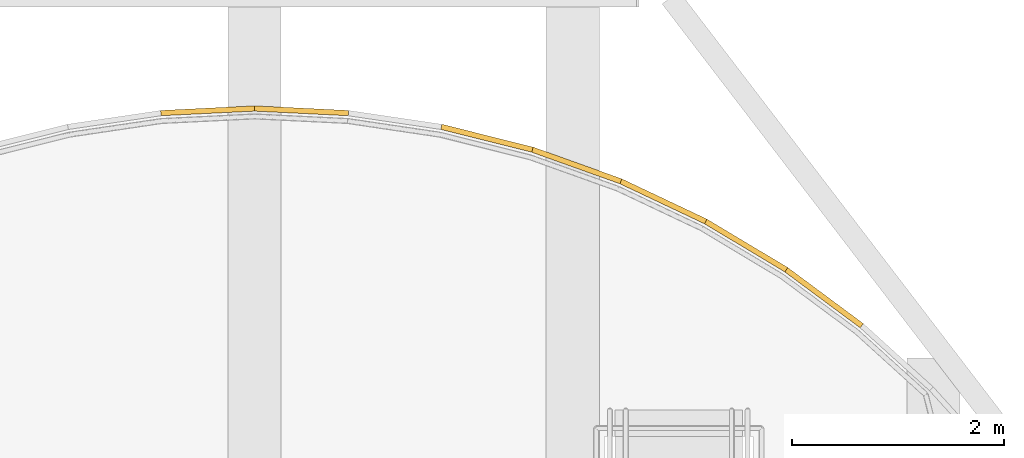
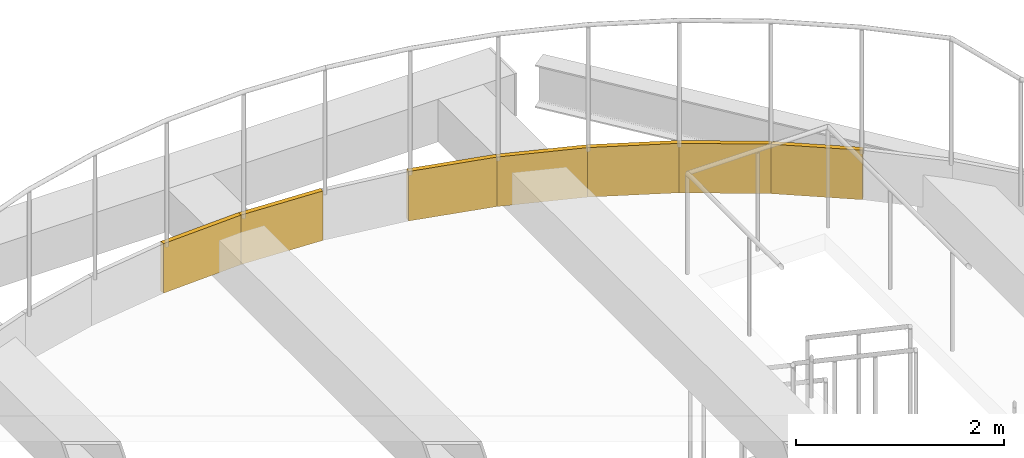
# One storey, part 4 of 4: 7 shading devices.
"""IFC4 building model written with IfcOpenShell, lengths in metres."""

from ifc_helpers import new_model, si_unit, direction, frame, origin, place, context, subcontext, project, spatial, polyline, outline, extrude, material, layer, layer_set, type_object, element, save


model = new_model("IFC4")

# Units and contexts
model_context = context("Model", 3, precision=1e-05, world=origin(), true_north=direction((0.0, 1.0)))
body_context = subcontext(model_context, "Body", "Model", "MODEL_VIEW")
ifc_project = project(units=[si_unit("LENGTHUNIT", "METRE"), si_unit("AREAUNIT", "SQUARE_METRE"), si_unit("VOLUMEUNIT", "CUBIC_METRE"), si_unit("PLANEANGLEUNIT", "RADIAN"), si_unit("MASSUNIT", "GRAM", prefix="KILO")], contexts=[model_context])

# Site, building, storey
site_placement = place(None, origin())
site = spatial("IfcSite", under=ifc_project, at=site_placement, CompositionType="ELEMENT")
building_placement = place(site_placement, origin())
building = spatial("IfcBuilding", under=site, at=building_placement, Name="Fogline Exchange Tower", CompositionType="ELEMENT")
storey_placement = place(building_placement, frame((0.0, 0.0, 372.10009765625)))
storey = spatial("IfcBuildingStorey", under=building, at=storey_placement, Name="RF-3", CompositionType="ELEMENT", Elevation=372.10009765625)

# Shading devices
ifc_material = material(Name="Aluminium louvre", Category="aluminium")
ifc_layer = layer(ifc_material, 0.050048828125)
ifc_layer_set = layer_set([ifc_layer], Name="LV1")
shading_device_type = type_object("IfcShadingDeviceType", Name="LV1", PredefinedType="SHUTTER", material=ifc_layer_set)
shading_device_1_placement = place(storey_placement, frame((0.0, 0.0, 2.119873046875)))
element("IfcShadingDevice", 1, at=shading_device_1_placement, inside=storey, type_object=shading_device_type, Name="Helipad louvre skirt", PredefinedType="SHUTTER", context=body_context, shape_type="SweptSolid", body=[
    extrude(outline(polyline([(5.70947265625, 17.927001953125), (5.7412109375, 17.9658203125), (5.02783203125, 18.494873046875), (5.0, 18.453125), (5.70947265625, 17.927001953125)])), origin(), (0.0, 0.0, 1.0), 0.580078125),
])
shading_device_2_placement = place(storey_placement, frame((0.0, 0.0, 2.119873046875)))
element("IfcShadingDevice", 2, at=shading_device_2_placement, inside=storey, type_object=shading_device_type, Name="Helipad louvre skirt", PredefinedType="SHUTTER", context=body_context, shape_type="SweptSolid", body=[
    extrude(outline(polyline([(5.0, 18.453125), (5.02783203125, 18.494873046875), (4.26611328125, 18.951416015625), (4.24267578125, 18.9072265625), (5.0, 18.453125)])), origin(), (0.0, 0.0, 1.0), 0.580078125),
])
shading_device_3_placement = place(storey_placement, frame((0.0, 0.0, 2.119873046875)))
element("IfcShadingDevice", 3, at=shading_device_3_placement, inside=storey, type_object=shading_device_type, Name="Helipad louvre skirt", PredefinedType="SHUTTER", context=body_context, shape_type="SweptSolid", body=[
    extrude(outline(polyline([(4.24267578125, 18.9072265625), (4.26611328125, 18.951416015625), (3.46337890625, 19.3310546875), (3.444091796875, 19.284912109375), (4.24267578125, 18.9072265625)])), origin(), (0.0, 0.0, 1.0), 0.580078125),
])
shading_device_4_placement = place(storey_placement, frame((0.0, 0.0, 2.119873046875)))
element("IfcShadingDevice", 4, at=shading_device_4_placement, inside=storey, type_object=shading_device_type, Name="Helipad louvre skirt", PredefinedType="SHUTTER", context=body_context, shape_type="SweptSolid", body=[
    extrude(outline(polyline([(3.444091796875, 19.284912109375), (3.46337890625, 19.3310546875), (2.627197265625, 19.63037109375), (2.612548828125, 19.58251953125), (3.444091796875, 19.284912109375)])), origin(), (0.0, 0.0, 1.0), 0.580078125),
])
shading_device_5_placement = place(storey_placement, frame((0.0, 0.0, 2.119873046875)))
element("IfcShadingDevice", 5, at=shading_device_5_placement, inside=storey, type_object=shading_device_type, Name="Helipad louvre skirt", PredefinedType="SHUTTER", context=body_context, shape_type="SweptSolid", body=[
    extrude(outline(polyline([(2.612548828125, 19.58251953125), (2.627197265625, 19.63037109375), (1.765625, 19.84619140625), (1.755859375, 19.797119140625), (2.612548828125, 19.58251953125)])), origin(), (0.0, 0.0, 1.0), 0.580078125),
])
shading_device_6_placement = place(storey_placement, frame((0.0, 0.0, 2.119873046875)))
element("IfcShadingDevice", 6, at=shading_device_6_placement, inside=storey, type_object=shading_device_type, Name="Helipad louvre skirt", PredefinedType="SHUTTER", context=body_context, shape_type="SweptSolid", body=[
    extrude(outline(polyline([(0.882080078125, 19.9267578125), (0.88720703125, 19.976318359375), (0.0, 20.02001953125), (0.0, 19.969970703125), (0.882080078125, 19.9267578125)])), origin(), (0.0, 0.0, 1.0), 0.580078125),
])
shading_device_7_placement = place(storey_placement, frame((0.0, 0.0, 2.119873046875)))
element("IfcShadingDevice", 7, at=shading_device_7_placement, inside=storey, type_object=shading_device_type, Name="Helipad louvre skirt", PredefinedType="SHUTTER", context=body_context, shape_type="SweptSolid", body=[
    extrude(outline(polyline([(0.0, 19.969970703125), (0.0, 20.02001953125), (-0.88720703125, 19.976318359375), (-0.882080078125, 19.9267578125), (0.0, 19.969970703125)])), origin(), (0.0, 0.0, 1.0), 0.580078125),
])

save(model, "model.ifc")
